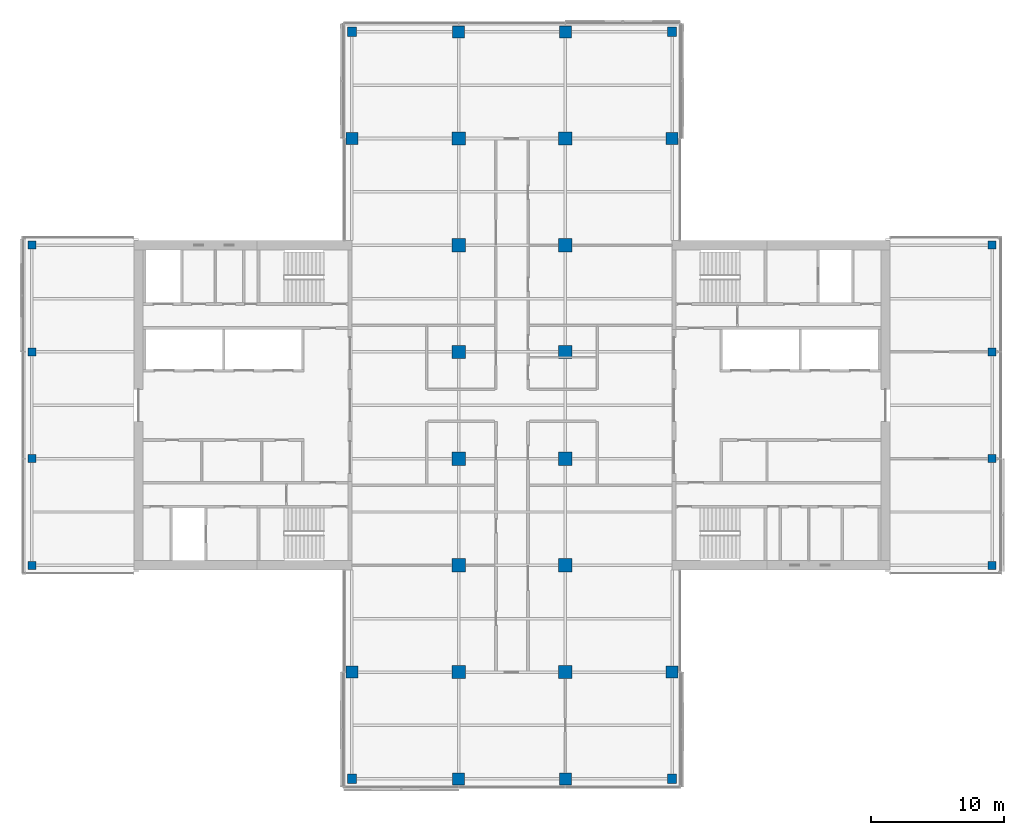
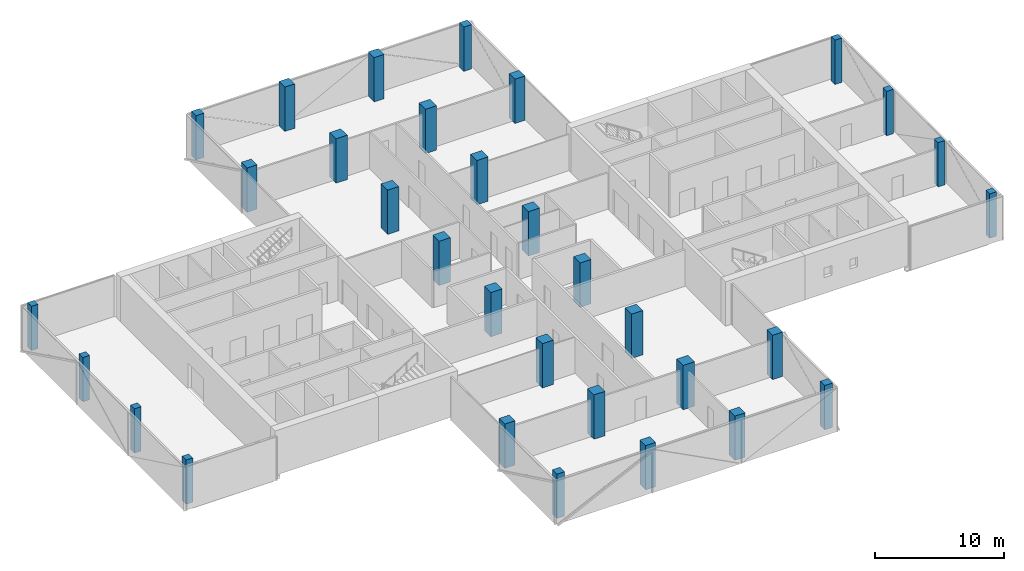
# One storey, part 1 of 22: 32 columns.
"""IFC4 building model written with IfcOpenShell, lengths in metres."""

from ifc_helpers import new_model, si_unit, direction, frame, origin, origin_2d, place, context, subcontext, project, spatial, rectangle, extrude, material, material_profile, profile_set, type_object, element, save


model = new_model("IFC4")

# Units and contexts
model_context = context("Model", 3, precision=1e-05, world=origin(), true_north=direction((0.0, 1.0)))
body_context = subcontext(model_context, "Body", "Model", "MODEL_VIEW")
ifc_project = project(units=[si_unit("LENGTHUNIT", "METRE"), si_unit("AREAUNIT", "SQUARE_METRE"), si_unit("VOLUMEUNIT", "CUBIC_METRE"), si_unit("PLANEANGLEUNIT", "RADIAN"), si_unit("MASSUNIT", "GRAM", prefix="KILO")], contexts=[model_context])

# Site, building, storey
site_placement = place(None, origin())
site = spatial("IfcSite", under=ifc_project, at=site_placement, CompositionType="ELEMENT")
building_placement = place(site_placement, origin())
building = spatial("IfcBuilding", under=site, at=building_placement, Name="Crosswind Convention Tower", CompositionType="ELEMENT")
storey_placement = place(building_placement, frame((0.0, 0.0, 150.5)))
storey = spatial("IfcBuildingStorey", under=building, at=storey_placement, Name="L31", CompositionType="ELEMENT", Elevation=150.5)

# Columns
ifc_material_1 = material(Name="Concrete C70/85", Category="concrete")
ifc_material_profile_1 = material_profile(ifc_material_1, rectangle(XDim=1.0, YDim=1.0, at=origin_2d()), Name="RC 1000X1000")
ifc_profile_set_1 = profile_set([ifc_material_profile_1], Name="Concrete C70/85")
column_type_1 = type_object("IfcColumnType", Name="Column RC 1000X1000", PredefinedType="COLUMN", material=ifc_profile_set_1)
for number, where, z_axis, x_axis, name in (
    (1, (121.0, 80.0, 0.0), (0.0, 0.0, 1.0), (1.0, 0.0, 0.0), "C12 L31 6/D"),
    (2, (121.0, 88.0, 0.0), (0.0, 0.0, 1.0), (1.0, 0.0, 0.0), "C12 L31 6/E"),
    (3, (121.0, 96.0, 0.0), (0.0, 0.0, 1.0), (1.0, 0.0, 0.0), "C12 L31 6/F"),
    (4, (121.0, 104.0, 0.0), (0.0, 0.0, 1.0), (1.0, 0.0, 0.0), "C12 L31 6/G"),
    (5, (121.0, 112.0, 0.0), (0.0, 0.0, 1.0), (1.0, 0.0, 0.0), "C12 L31 6/H"),
    (6, (121.0, 120.0, 0.0), (0.0, 0.0, 1.0), (1.0, 0.0, 0.0), "C12 L31 6/I"),
    (7, (129.0, 80.0, 0.0), (0.0, 0.0, 1.0), (1.0, 0.0, 0.0), "C12 L31 7/D"),
    (8, (129.0, 88.0, 0.0), (0.0, 0.0, 1.0), (1.0, 0.0, 0.0), "C12 L31 7/E"),
    (9, (129.0, 96.0, 0.0), (0.0, 0.0, 1.0), (1.0, 0.0, 0.0), "C12 L31 7/F"),
    (10, (129.0, 104.0, 0.0), (0.0, 0.0, 1.0), (1.0, 0.0, 0.0), "C12 L31 7/G"),
    (11, (129.0, 112.0, 0.0), (0.0, 0.0, 1.0), (1.0, 0.0, 0.0), "C12 L31 7/H"),
    (12, (129.0, 120.0, 0.0), (0.0, 0.0, 1.0), (1.0, 0.0, 0.0), "C12 L31 7/I"),
):
    element("IfcColumn", number, at=place(storey_placement, frame(where, z_axis=z_axis, x_axis=x_axis)), inside=storey, type_object=column_type_1, Name=name, PredefinedType="COLUMN", context=body_context, shape_type="SweptSolid", body=[
        extrude(rectangle(XDim=1.0, YDim=1.0, at=origin_2d()), origin(), (0.0, 0.0, 1.0), 4.199951171875),
    ])
ifc_material_2 = material(Name="Concrete C60/75", Category="concrete")
ifc_material_profile_2 = material_profile(ifc_material_2, rectangle(XDim=0.60009765625, YDim=0.60009765625, at=origin_2d()), Name="RC 600X600")
ifc_profile_set_2 = profile_set([ifc_material_profile_2], Name="Concrete C60/75")
column_type_2 = type_object("IfcColumnType", Name="Column RC 600X600", PredefinedType="COLUMN", material=ifc_profile_set_2)
for number, where, z_axis, x_axis, name in (
    (13, (89.0, 88.0, 0.0), (0.0, 0.0, 1.0), (1.0, 0.0, 0.0), "C16 L31 2/E"),
    (14, (89.0, 96.0, 0.0), (0.0, 0.0, 1.0), (1.0, 0.0, 0.0), "C16 L31 2/F"),
    (15, (89.0, 104.0, 0.0), (0.0, 0.0, 1.0), (1.0, 0.0, 0.0), "C16 L31 2/G"),
    (16, (89.0, 112.0, 0.0), (0.0, 0.0, 1.0), (1.0, 0.0, 0.0), "C16 L31 2/H"),
    (17, (161.0, 88.0, 0.0), (0.0, 0.0, 1.0), (1.0, 0.0, 0.0), "C16 L31 11/E"),
    (18, (161.0, 96.0, 0.0), (0.0, 0.0, 1.0), (1.0, 0.0, 0.0), "C16 L31 11/F"),
    (19, (161.0, 104.0, 0.0), (0.0, 0.0, 1.0), (1.0, 0.0, 0.0), "C16 L31 11/G"),
    (20, (161.0, 112.0, 0.0), (0.0, 0.0, 1.0), (1.0, 0.0, 0.0), "C16 L31 11/H"),
):
    element("IfcColumn", number, at=place(storey_placement, frame(where, z_axis=z_axis, x_axis=x_axis)), inside=storey, type_object=column_type_2, Name=name, PredefinedType="COLUMN", context=body_context, shape_type="SweptSolid", body=[
        extrude(rectangle(XDim=0.60009765625, YDim=0.60009765625, at=origin_2d()), origin(), (0.0, 0.0, 1.0), 4.199951171875),
    ])
ifc_material_profile_3 = material_profile(ifc_material_2, rectangle(XDim=0.699951171875, YDim=0.699951171875, at=origin_2d()), Name="RC 700X700")
ifc_profile_set_3 = profile_set([ifc_material_profile_3], Name="Concrete C60/75")
column_type_3 = type_object("IfcColumnType", Name="Column RC 700X700", PredefinedType="COLUMN", material=ifc_profile_set_3)
for number, where, z_axis, x_axis, name in (
    (21, (113.0, 72.0, 0.0), (0.0, 0.0, 1.0), (1.0, 0.0, 0.0), "C15 L31 5/C"),
    (22, (113.0, 128.0, 0.0), (0.0, 0.0, 1.0), (1.0, 0.0, 0.0), "C15 L31 5/J"),
    (23, (137.0, 72.0, 0.0), (0.0, 0.0, 1.0), (1.0, 0.0, 0.0), "C15 L31 8/C"),
    (24, (137.0, 128.0, 0.0), (0.0, 0.0, 1.0), (1.0, 0.0, 0.0), "C15 L31 8/J"),
):
    element("IfcColumn", number, at=place(storey_placement, frame(where, z_axis=z_axis, x_axis=x_axis)), inside=storey, type_object=column_type_3, Name=name, PredefinedType="COLUMN", context=body_context, shape_type="SweptSolid", body=[
        extrude(rectangle(XDim=0.699951171875, YDim=0.699951171875, at=origin_2d()), origin(), (0.0, 0.0, 1.0), 4.199951171875),
    ])
ifc_material_profile_4 = material_profile(ifc_material_2, rectangle(XDim=0.89990234375, YDim=0.89990234375, at=origin_2d()), Name="RC 900X900")
ifc_profile_set_4 = profile_set([ifc_material_profile_4], Name="Concrete C60/75")
column_type_4 = type_object("IfcColumnType", Name="Column RC 900X900", PredefinedType="COLUMN", material=ifc_profile_set_4)
for number, where, z_axis, x_axis, name in (
    (25, (113.0, 80.0, 0.0), (0.0, 0.0, 1.0), (1.0, 0.0, 0.0), "C13 L31 5/D"),
    (26, (113.0, 120.0, 0.0), (0.0, 0.0, 1.0), (1.0, 0.0, 0.0), "C13 L31 5/I"),
    (27, (121.0, 72.0, 0.0), (0.0, 0.0, 1.0), (1.0, 0.0, 0.0), "C13 L31 6/C"),
    (28, (121.0, 128.0, 0.0), (0.0, 0.0, 1.0), (1.0, 0.0, 0.0), "C13 L31 6/J"),
    (29, (129.0, 72.0, 0.0), (0.0, 0.0, 1.0), (1.0, 0.0, 0.0), "C13 L31 7/C"),
    (30, (129.0, 128.0, 0.0), (0.0, 0.0, 1.0), (1.0, 0.0, 0.0), "C13 L31 7/J"),
    (31, (137.0, 80.0, 0.0), (0.0, 0.0, 1.0), (1.0, 0.0, 0.0), "C13 L31 8/D"),
    (32, (137.0, 120.0, 0.0), (0.0, 0.0, 1.0), (1.0, 0.0, 0.0), "C13 L31 8/I"),
):
    element("IfcColumn", number, at=place(storey_placement, frame(where, z_axis=z_axis, x_axis=x_axis)), inside=storey, type_object=column_type_4, Name=name, PredefinedType="COLUMN", context=body_context, shape_type="SweptSolid", body=[
        extrude(rectangle(XDim=0.89990234375, YDim=0.89990234375, at=origin_2d()), origin(), (0.0, 0.0, 1.0), 4.199951171875),
    ])

save(model, "model.ifc")
